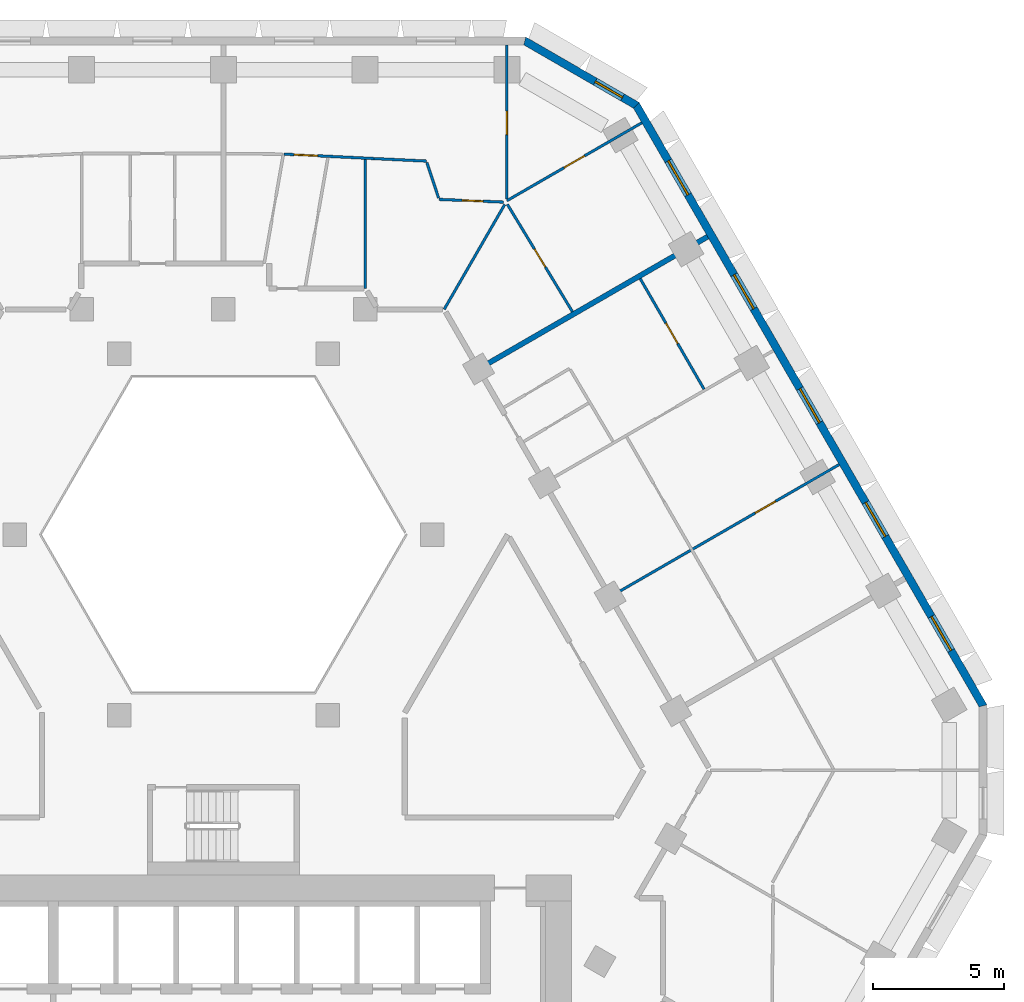
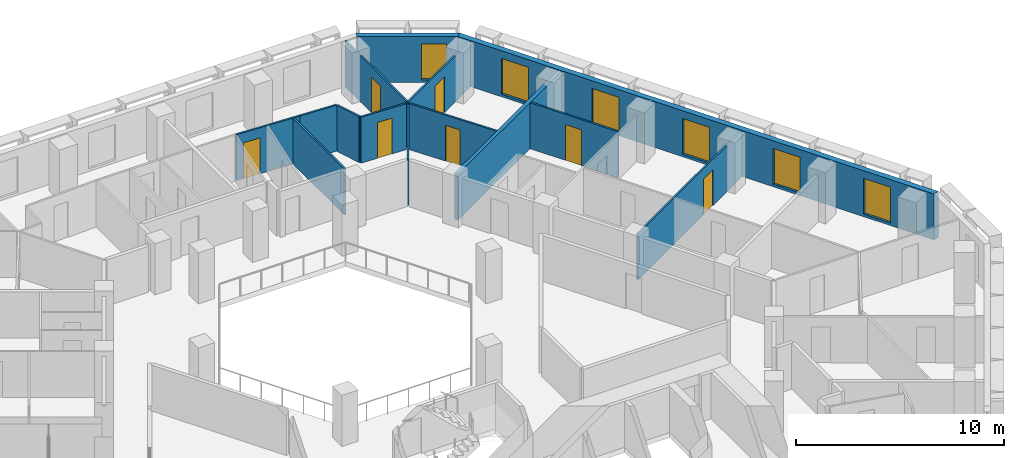
# One storey, part 9 of 15: 14 walls, 7 doors, 6 windows, 13 openings.
"""IFC4 building model written with IfcOpenShell, lengths in metres."""

from ifc_helpers import new_model, si_unit, direction, frame, frame_2d, origin, place, context, subcontext, project, spatial, polyline, rectangle, outline, extrude, material, layer, layer_set, type_object, element, fill, save


model = new_model("IFC4")

# Units and contexts
model_context = context("Model", 3, precision=1e-05, world=origin(), true_north=direction((0.0, 1.0)))
body_context = subcontext(model_context, "Body", "Model", "MODEL_VIEW")
ifc_project = project(units=[si_unit("LENGTHUNIT", "METRE"), si_unit("AREAUNIT", "SQUARE_METRE"), si_unit("VOLUMEUNIT", "CUBIC_METRE"), si_unit("PLANEANGLEUNIT", "RADIAN"), si_unit("MASSUNIT", "GRAM", prefix="KILO")], contexts=[model_context])

# Site, building, storey
site_placement = place(None, origin())
site = spatial("IfcSite", under=ifc_project, at=site_placement, CompositionType="ELEMENT")
building_placement = place(site_placement, origin())
building = spatial("IfcBuilding", under=site, at=building_placement, Name="Beryl Residences", CompositionType="ELEMENT")
storey_placement = place(building_placement, frame((0.0, 0.0, 72.0)))
storey = spatial("IfcBuildingStorey", under=building, at=storey_placement, Name="L21", CompositionType="ELEMENT", Elevation=72.0)

# Wall, openings, windows
ifc_material_1 = material(Name="Composite metal panel with mineral wool insulation")
ifc_layer_1 = layer(ifc_material_1, 0.300048828125)
ifc_layer_set_1 = layer_set([ifc_layer_1], Name="ES1 pale metal composite panel wall 300 mm")
wall_type_1 = type_object("IfcWallType", Name="ES1 pale metal composite panel wall 300 mm", PredefinedType="SOLIDWALL", material=ifc_layer_set_1)
wall_1_placement = place(storey_placement, frame((29.027099609375, 1.425048828125, 0.0), z_axis=(0.0, 0.0, 1.0), x_axis=(-0.500027479704, 0.866009537788, 0.0)))
wall_1 = element("IfcWall", 1, at=wall_1_placement, inside=storey, type_object=wall_type_1, Name="ES1 external wall L21 NE", PredefinedType="SOLIDWALL", context=body_context, shape_type="SweptSolid", body=[
    extrude(outline(polyline([(0.0, -0.14990234375), (26.55859375, -0.14990234375), (26.478271484375, 0.14990234375), (0.080322265625, 0.14990234375), (0.0, -0.14990234375)])), origin(), (0.0, 0.0, 1.0), 2.699951171875),
])
opening_1_placement = place(wall_1_placement, frame((2.48291015625, 0.0, 0.14990234375)))
opening_1 = element("IfcOpeningElement", 2, at=opening_1_placement, cuts=wall_1, Name="Opening W1", PredefinedType="OPENING", context=body_context, shape_type="SweptSolid", body=[
    extrude(rectangle(XDim=1.5, YDim=2.10009765625, at=frame_2d((0.75, 1.050048828125))), frame((0.0, 0.159912109375, 0.0), z_axis=(0.0, -1.0, 0.0), x_axis=(1.0, 0.0, 0.0)), (0.0, 0.0, 1.0), 0.320068359375),
])
opening_2_placement = place(wall_1_placement, frame((7.506103515625, 0.0, 0.14990234375)))
opening_2 = element("IfcOpeningElement", 3, at=opening_2_placement, cuts=wall_1, Name="Opening W1", PredefinedType="OPENING", context=body_context, shape_type="SweptSolid", body=[
    extrude(rectangle(XDim=1.5, YDim=2.10009765625, at=frame_2d((0.75, 1.050048828125))), frame((0.0, 0.159912109375, 0.0), z_axis=(0.0, -1.0, 0.0), x_axis=(1.0, 0.0, 0.0)), (0.0, 0.0, 1.0), 0.320068359375),
])
opening_3_placement = place(wall_1_placement, frame((12.529052734375, 0.0, 0.14990234375)))
opening_3 = element("IfcOpeningElement", 4, at=opening_3_placement, cuts=wall_1, Name="Opening W1", PredefinedType="OPENING", context=body_context, shape_type="SweptSolid", body=[
    extrude(rectangle(XDim=1.5, YDim=2.10009765625, at=frame_2d((0.75, 1.050048828125))), frame((0.0, 0.159912109375, 0.0), z_axis=(0.0, -1.0, 0.0), x_axis=(1.0, 0.0, 0.0)), (0.0, 0.0, 1.0), 0.320068359375),
])
opening_4_placement = place(wall_1_placement, frame((17.552001953125, 0.0, 0.14990234375)))
opening_4 = element("IfcOpeningElement", 5, at=opening_4_placement, cuts=wall_1, Name="Opening W1", PredefinedType="OPENING", context=body_context, shape_type="SweptSolid", body=[
    extrude(rectangle(XDim=1.5, YDim=2.10009765625, at=frame_2d((0.75, 1.050048828125))), frame((0.0, 0.159912109375, 0.0), z_axis=(0.0, -1.0, 0.0), x_axis=(1.0, 0.0, 0.0)), (0.0, 0.0, 1.0), 0.320068359375),
])
opening_5_placement = place(wall_1_placement, frame((22.574951171875, 0.0, 0.14990234375)))
opening_5 = element("IfcOpeningElement", 6, at=opening_5_placement, cuts=wall_1, Name="Opening W1", PredefinedType="OPENING", context=body_context, shape_type="SweptSolid", body=[
    extrude(rectangle(XDim=1.5, YDim=2.10009765625, at=frame_2d((0.75, 1.050048828125))), frame((0.0, 0.159912109375, 0.0), z_axis=(0.0, -1.0, 0.0), x_axis=(1.0, 0.0, 0.0)), (0.0, 0.0, 1.0), 0.320068359375),
])
ifc_material_2 = material(Name="Aluminium and clear glass", Category="aluminium")
window_type_1 = type_object("IfcWindowType", Name="W1 cell window 1500 x 2100 mm", PartitioningType="SINGLE_PANEL", PredefinedType="WINDOW", material=ifc_material_2)
window_1_placement = place(opening_1_placement, origin())
window_1 = element("IfcWindow", 7, at=window_1_placement, inside=storey, type_object=window_type_1, Name="W1 window L21 NE 2", OverallHeight=2.10009765625, OverallWidth=1.5, PartitioningType="SINGLE_PANEL", PredefinedType="WINDOW", context=body_context, shape_type="SweptSolid", body=[
    extrude(rectangle(XDim=1.5, YDim=2.10009765625, at=frame_2d((0.75, 1.050048828125))), frame((0.0, 0.030029296875, 0.0), z_axis=(0.0, -1.0, 0.0), x_axis=(1.0, 0.0, 0.0)), (0.0, 0.0, 1.0), 0.06005859375),
])
fill(opening_1, window_1)
window_2_placement = place(opening_2_placement, origin())
window_2 = element("IfcWindow", 8, at=window_2_placement, inside=storey, type_object=window_type_1, Name="W1 window L21 NE 4", OverallHeight=2.10009765625, OverallWidth=1.5, PartitioningType="SINGLE_PANEL", PredefinedType="WINDOW", context=body_context, shape_type="SweptSolid", body=[
    extrude(rectangle(XDim=1.5, YDim=2.10009765625, at=frame_2d((0.75, 1.050048828125))), frame((0.0, 0.030029296875, 0.0), z_axis=(0.0, -1.0, 0.0), x_axis=(1.0, 0.0, 0.0)), (0.0, 0.0, 1.0), 0.06005859375),
])
fill(opening_2, window_2)
window_3_placement = place(opening_3_placement, origin())
window_3 = element("IfcWindow", 9, at=window_3_placement, inside=storey, type_object=window_type_1, Name="W1 window L21 NE 6", OverallHeight=2.10009765625, OverallWidth=1.5, PartitioningType="SINGLE_PANEL", PredefinedType="WINDOW", context=body_context, shape_type="SweptSolid", body=[
    extrude(rectangle(XDim=1.5, YDim=2.10009765625, at=frame_2d((0.75, 1.050048828125))), frame((0.0, 0.030029296875, 0.0), z_axis=(0.0, -1.0, 0.0), x_axis=(1.0, 0.0, 0.0)), (0.0, 0.0, 1.0), 0.06005859375),
])
fill(opening_3, window_3)
window_4_placement = place(opening_4_placement, origin())
window_4 = element("IfcWindow", 10, at=window_4_placement, inside=storey, type_object=window_type_1, Name="W1 window L21 NE 8", OverallHeight=2.10009765625, OverallWidth=1.5, PartitioningType="SINGLE_PANEL", PredefinedType="WINDOW", context=body_context, shape_type="SweptSolid", body=[
    extrude(rectangle(XDim=1.5, YDim=2.10009765625, at=frame_2d((0.75, 1.050048828125))), frame((0.0, 0.030029296875, 0.0), z_axis=(0.0, -1.0, 0.0), x_axis=(1.0, 0.0, 0.0)), (0.0, 0.0, 1.0), 0.06005859375),
])
fill(opening_4, window_4)
window_5_placement = place(opening_5_placement, origin())
window_5 = element("IfcWindow", 11, at=window_5_placement, inside=storey, type_object=window_type_1, Name="W1 window L21 NE 10", OverallHeight=2.10009765625, OverallWidth=1.5, PartitioningType="SINGLE_PANEL", PredefinedType="WINDOW", context=body_context, shape_type="SweptSolid", body=[
    extrude(rectangle(XDim=1.5, YDim=2.10009765625, at=frame_2d((0.75, 1.050048828125))), frame((0.0, 0.030029296875, 0.0), z_axis=(0.0, -1.0, 0.0), x_axis=(1.0, 0.0, 0.0)), (0.0, 0.0, 1.0), 0.06005859375),
])
fill(opening_5, window_5)

# Wall, opening, window
wall_2_placement = place(storey_placement, frame((15.802001953125, 24.3701171875, 0.0), z_axis=(0.0, 0.0, 1.0), x_axis=(-0.866022959057, 0.500004234368, 0.0)))
wall_2 = element("IfcWall", 12, at=wall_2_placement, inside=storey, type_object=wall_type_1, Name="ES1 external wall L21 NE-N", PredefinedType="SOLIDWALL", context=body_context, shape_type="SweptSolid", body=[
    extrude(outline(polyline([(0.0, -0.14990234375), (5.0, -0.14990234375), (4.919677734375, 0.14990234375), (0.080322265625, 0.14990234375), (0.0, -0.14990234375)])), origin(), (0.0, 0.0, 1.0), 2.699951171875),
])
opening_6_placement = place(wall_2_placement, frame((0.64990234375, 0.0, 0.14990234375)))
opening_6 = element("IfcOpeningElement", 13, at=opening_6_placement, cuts=wall_2, Name="Opening W2", PredefinedType="OPENING", context=body_context, shape_type="SweptSolid", body=[
    extrude(rectangle(XDim=1.199951171875, YDim=2.10009765625, at=frame_2d((0.60009765625, 1.050048828125))), frame((0.0, 0.159912109375, 0.0), z_axis=(0.0, -1.0, 0.0), x_axis=(1.0, 0.0, 0.0)), (0.0, 0.0, 1.0), 0.320068359375),
])
ifc_material_3 = material(Name="Aluminium and clear glass", Category="aluminium")
window_type_2 = type_object("IfcWindowType", Name="W2 chamfer window 1200 x 2100 mm", PartitioningType="SINGLE_PANEL", PredefinedType="WINDOW", material=ifc_material_3)
window_6_placement = place(opening_6_placement, origin())
window_6 = element("IfcWindow", 14, at=window_6_placement, inside=storey, type_object=window_type_2, Name="W2 window L21 NE-N 1", OverallHeight=2.10009765625, OverallWidth=1.199951171875, PartitioningType="SINGLE_PANEL", PredefinedType="WINDOW", context=body_context, shape_type="SweptSolid", body=[
    extrude(rectangle(XDim=1.199951171875, YDim=2.10009765625, at=frame_2d((0.60009765625, 1.050048828125))), frame((0.0, 0.030029296875, 0.0), z_axis=(0.0, -1.0, 0.0), x_axis=(1.0, 0.0, 0.0)), (0.0, 0.0, 1.0), 0.06005859375),
])
fill(opening_6, window_6)

# Wall
ifc_material_4 = material(Name="Gypsum board partition on steel studs", Category="steel")
ifc_layer_2 = layer(ifc_material_4, 0.10009765625)
ifc_layer_set_2 = layer_set([ifc_layer_2], Name="PT1 partition 100 mm gypsum board on steel studs")
wall_type_2 = type_object("IfcWallType", Name="PT1 partition 100 mm gypsum board on steel studs", PredefinedType="PARTITIONING", material=ifc_layer_set_2)
wall_3_placement = place(storey_placement, frame((7.76904296875, 22.2119140625, 0.0), z_axis=(0.0, 0.0, 1.0), x_axis=(0.313312924695, -0.949649941409, 0.0)))
element("IfcWall", 15, at=wall_3_placement, inside=storey, type_object=wall_type_2, Name="Wall PT1 L21 002", PredefinedType="PARTITIONING", context=body_context, shape_type="SweptSolid", body=[
    extrude(rectangle(XDim=1.43310546875, YDim=0.10009765625, at=frame_2d((0.716552734375, 0.0))), origin(), (0.0, 0.0, 1.0), 2.699951171875),
])

# Wall, opening, door
wall_4_placement = place(storey_placement, frame((10.843017578125, 20.610107421875, 0.0), z_axis=(0.0, 0.0, 1.0), x_axis=(0.518481125811, -0.855089072657, 0.0)))
wall_4 = element("IfcWall", 16, at=wall_4_placement, inside=storey, type_object=wall_type_2, Name="Wall PT1 L21 003", PredefinedType="PARTITIONING", context=body_context, shape_type="SweptSolid", body=[
    extrude(rectangle(XDim=4.794921875, YDim=0.10009765625, at=frame_2d((2.3974609375, 0.0))), origin(), (0.0, 0.0, 1.0), 2.699951171875),
])
opening_7_placement = place(wall_4_placement, frame((1.9990234375, 0.0, 0.0)))
opening_7 = element("IfcOpeningElement", 17, at=opening_7_placement, cuts=wall_4, Name="Opening D0822", PredefinedType="OPENING", context=body_context, shape_type="SweptSolid", body=[
    extrude(rectangle(XDim=0.800048828125, YDim=2.10009765625, at=frame_2d((0.39990234375, 1.050048828125))), frame((0.0, 0.06005859375, 0.0), z_axis=(0.0, -1.0, 0.0), x_axis=(1.0, 0.0, 0.0)), (0.0, 0.0, 1.0), 0.1201171875),
])
ifc_material_5 = material(Name="Timber door leaf", Category="wood")
door_type_1 = type_object("IfcDoorType", Name="D3 bathroom door 800 x 2100 mm", OperationType="SINGLE_SWING_LEFT", PredefinedType="DOOR", material=ifc_material_5)
door_1_placement = place(opening_7_placement, origin())
door_1 = element("IfcDoor", 18, at=door_1_placement, inside=storey, type_object=door_type_1, Name="Door D0822 L21 001", OperationType="SINGLE_SWING_RIGHT", OverallHeight=2.10009765625, OverallWidth=0.800048828125, PredefinedType="DOOR", context=body_context, shape_type="SweptSolid", body=[
    extrude(rectangle(XDim=0.800048828125, YDim=2.10009765625, at=frame_2d((0.39990234375, 1.050048828125))), frame((0.0, 0.02490234375, 0.0), z_axis=(0.0, -1.0, 0.0), x_axis=(1.0, 0.0, 0.0)), (0.0, 0.0, 1.0), 0.050048828125),
])
fill(opening_7, door_1)

wall_5_placement = place(storey_placement, frame((15.916015625, 17.77294921875, 0.0), z_axis=(0.0, 0.0, 1.0), x_axis=(0.500093956194, -0.865971151354, 0.0)))
wall_5 = element("IfcWall", 19, at=wall_5_placement, inside=storey, type_object=wall_type_2, Name="Wall PT1 L21 007", PredefinedType="PARTITIONING", context=body_context, shape_type="SweptSolid", body=[
    extrude(rectangle(XDim=4.873046875, YDim=0.10009765625, at=frame_2d((2.4365234375, 0.0))), origin(), (0.0, 0.0, 1.0), 2.699951171875),
])
opening_8_placement = place(wall_5_placement, frame((1.9619140625, 0.0, 0.0)))
opening_8 = element("IfcOpeningElement", 20, at=opening_8_placement, cuts=wall_5, Name="Opening D0810", PredefinedType="OPENING", context=body_context, shape_type="SweptSolid", body=[
    extrude(rectangle(XDim=0.89990234375, YDim=2.10009765625, at=frame_2d((0.449951171875, 1.050048828125))), frame((0.0, 0.06005859375, 0.0), z_axis=(0.0, -1.0, 0.0), x_axis=(1.0, 0.0, 0.0)), (0.0, 0.0, 1.0), 0.1201171875),
])
ifc_material_6 = material(Name="Timber door leaf", Category="wood")
door_type_2 = type_object("IfcDoorType", Name="D2 room door 900 x 2100 mm", OperationType="SINGLE_SWING_LEFT", PredefinedType="DOOR", material=ifc_material_6)
door_2_placement = place(opening_8_placement, origin())
door_2 = element("IfcDoor", 21, at=door_2_placement, inside=storey, type_object=door_type_2, Name="Door D0810 L21 001", OperationType="SINGLE_SWING_RIGHT", OverallHeight=2.10009765625, OverallWidth=0.89990234375, PredefinedType="DOOR", context=body_context, shape_type="SweptSolid", body=[
    extrude(rectangle(XDim=0.89990234375, YDim=2.10009765625, at=frame_2d((0.449951171875, 1.050048828125))), frame((0.0, 0.02490234375, 0.0), z_axis=(0.0, -1.0, 0.0), x_axis=(1.0, 0.0, 0.0)), (0.0, 0.0, 1.0), 0.050048828125),
])
fill(opening_8, door_2)

wall_6_placement = place(storey_placement, frame((8.235107421875, 20.800048828125, 0.0), z_axis=(0.0, 0.0, 1.0), x_axis=(0.999110277005, -0.042174096116, 0.0)))
wall_6 = element("IfcWall", 22, at=wall_6_placement, inside=storey, type_object=wall_type_2, Name="Wall PT1 L21 016", PredefinedType="PARTITIONING", context=body_context, shape_type="SweptSolid", body=[
    extrude(rectangle(XDim=2.466064453125, YDim=0.10009765625, at=frame_2d((1.23291015625, 0.0))), origin(), (0.0, 0.0, 1.0), 2.699951171875),
])
opening_9_placement = place(wall_6_placement, frame((0.8798828125, 0.0, 0.0)))
opening_9 = element("IfcOpeningElement", 23, at=opening_9_placement, cuts=wall_6, Name="Opening D0820", PredefinedType="OPENING", context=body_context, shape_type="SweptSolid", body=[
    extrude(rectangle(XDim=0.800048828125, YDim=2.10009765625, at=frame_2d((0.39990234375, 1.050048828125))), frame((0.0, 0.06005859375, 0.0), z_axis=(0.0, -1.0, 0.0), x_axis=(1.0, 0.0, 0.0)), (0.0, 0.0, 1.0), 0.1201171875),
])
door_3_placement = place(opening_9_placement, origin())
door_3 = element("IfcDoor", 24, at=door_3_placement, inside=storey, type_object=door_type_1, Name="Door D0820 L21 001", OperationType="SINGLE_SWING_RIGHT", OverallHeight=2.10009765625, OverallWidth=0.800048828125, PredefinedType="DOOR", context=body_context, shape_type="SweptSolid", body=[
    extrude(rectangle(XDim=0.800048828125, YDim=2.10009765625, at=frame_2d((0.39990234375, 1.050048828125))), frame((0.0, 0.02490234375, 0.0), z_axis=(0.0, -1.0, 0.0), x_axis=(1.0, 0.0, 0.0)), (0.0, 0.0, 1.0), 0.050048828125),
])
fill(opening_9, door_3)

# Wall
wall_7_placement = place(storey_placement, frame((5.757080078125, 22.35791015625, 0.0), z_axis=(0.0, 0.0, 1.0), x_axis=(0.998868690804, -0.047553533316, 0.0)))
element("IfcWall", 25, at=wall_7_placement, inside=storey, type_object=wall_type_2, Name="Wall PT1 L21 017", PredefinedType="PARTITIONING", context=body_context, shape_type="SweptSolid", body=[
    extrude(rectangle(XDim=1.9970703125, YDim=0.10009765625, at=frame_2d((0.99853515625, 0.0))), origin(), (0.0, 0.0, 1.0), 2.699951171875),
])

# Wall, opening, door
wall_8_placement = place(storey_placement, frame((2.321044921875, 22.527099609375, 0.0), z_axis=(0.0, 0.0, 1.0), x_axis=(0.998789924329, -0.049180149038, 0.0)))
wall_8 = element("IfcWall", 26, at=wall_8_placement, inside=storey, type_object=wall_type_2, Name="Wall PT1 L21 018", PredefinedType="PARTITIONING", context=body_context, shape_type="SweptSolid", body=[
    extrude(rectangle(XDim=3.440185546875, YDim=0.10009765625, at=frame_2d((1.72021484375, 0.0))), origin(), (0.0, 0.0, 1.0), 2.699951171875),
])
opening_10_placement = place(wall_8_placement, frame((0.3759765625, 0.0, 0.0)))
opening_10 = element("IfcOpeningElement", 27, at=opening_10_placement, cuts=wall_8, Name="Opening D0818", PredefinedType="OPENING", context=body_context, shape_type="SweptSolid", body=[
    extrude(rectangle(XDim=0.89990234375, YDim=2.10009765625, at=frame_2d((0.449951171875, 1.050048828125))), frame((0.0, 0.06005859375, 0.0), z_axis=(0.0, -1.0, 0.0), x_axis=(1.0, 0.0, 0.0)), (0.0, 0.0, 1.0), 0.1201171875),
])
door_4_placement = place(opening_10_placement, origin())
door_4 = element("IfcDoor", 28, at=door_4_placement, inside=storey, type_object=door_type_2, Name="Door D0818 L21 001", OperationType="SINGLE_SWING_RIGHT", OverallHeight=2.10009765625, OverallWidth=0.89990234375, PredefinedType="DOOR", context=body_context, shape_type="SweptSolid", body=[
    extrude(rectangle(XDim=0.89990234375, YDim=2.10009765625, at=frame_2d((0.449951171875, 1.050048828125))), frame((0.0, 0.02490234375, 0.0), z_axis=(0.0, -1.0, 0.0), x_axis=(1.0, 0.0, 0.0)), (0.0, 0.0, 1.0), 0.050048828125),
])
fill(opening_10, door_4)

# Walls
wall_9_placement = place(storey_placement, frame((8.429931640625, 16.60009765625, 0.0), z_axis=(0.0, 0.0, 1.0), x_axis=(0.50003312339, 0.866006279142, 0.0)))
element("IfcWall", 29, at=wall_9_placement, inside=storey, type_object=wall_type_2, Name="Wall PT1 L21 034", PredefinedType="PARTITIONING", context=body_context, shape_type="SweptSolid", body=[
    extrude(rectangle(XDim=4.625732421875, YDim=0.10009765625, at=frame_2d((2.31298828125, 0.0))), origin(), (0.0, 0.0, 1.0), 2.699951171875),
])
wall_10_placement = place(storey_placement, frame((5.412109375, 17.39990234375, 0.0), z_axis=(0.0, 0.0, 1.0), x_axis=(0.0, 1.0, 0.0)))
element("IfcWall", 30, at=wall_10_placement, inside=storey, type_object=wall_type_2, Name="Wall PT1 L21 047", PredefinedType="PARTITIONING", context=body_context, shape_type="SweptSolid", body=[
    extrude(rectangle(XDim=4.925048828125, YDim=0.10009765625, at=frame_2d((2.46240234375, 0.0))), origin(), (0.0, 0.0, 1.0), 2.699951171875),
])

# Wall, opening, door
wall_11_placement = place(storey_placement, frame((10.824951171875, 20.805908203125, 0.0), z_axis=(0.0, 0.0, 1.0), x_axis=(0.0, 1.0, 0.0)))
wall_11 = element("IfcWall", 31, at=wall_11_placement, inside=storey, type_object=wall_type_2, Name="Wall PT1 L21 050", PredefinedType="PARTITIONING", context=body_context, shape_type="SweptSolid", body=[
    extrude(rectangle(XDim=5.89404296875, YDim=0.10009765625, at=frame_2d((2.947021484375, 0.0))), origin(), (0.0, 0.0, 1.0), 2.699951171875),
])
opening_11_placement = place(wall_11_placement, frame((2.468017578125, 0.0, 0.0)))
opening_11 = element("IfcOpeningElement", 32, at=opening_11_placement, cuts=wall_11, Name="Opening D0819", PredefinedType="OPENING", context=body_context, shape_type="SweptSolid", body=[
    extrude(rectangle(XDim=0.89990234375, YDim=2.10009765625, at=frame_2d((0.449951171875, 1.050048828125))), frame((0.0, 0.06005859375, 0.0), z_axis=(0.0, -1.0, 0.0), x_axis=(1.0, 0.0, 0.0)), (0.0, 0.0, 1.0), 0.1201171875),
])
door_5_placement = place(opening_11_placement, origin())
door_5 = element("IfcDoor", 33, at=door_5_placement, inside=storey, type_object=door_type_2, Name="Door D0819 L21 001", OperationType="SINGLE_SWING_LEFT", OverallHeight=2.10009765625, OverallWidth=0.89990234375, PredefinedType="DOOR", context=body_context, shape_type="SweptSolid", body=[
    extrude(rectangle(XDim=0.89990234375, YDim=2.10009765625, at=frame_2d((0.449951171875, 1.050048828125))), frame((0.0, 0.02490234375, 0.0), z_axis=(0.0, -1.0, 0.0), x_axis=(1.0, 0.0, 0.0)), (0.0, 0.0, 1.0), 0.050048828125),
])
fill(opening_11, door_5)

wall_12_placement = place(storey_placement, frame((14.85302734375, 5.675048828125, 0.0), z_axis=(0.0, 0.0, 1.0), x_axis=(0.866016855193, 0.500014806302, 0.0)))
wall_12 = element("IfcWall", 34, at=wall_12_placement, inside=storey, type_object=wall_type_2, Name="Wall PT1 L21 064", PredefinedType="PARTITIONING", context=body_context, shape_type="SweptSolid", body=[
    extrude(rectangle(XDim=9.999755859375, YDim=0.10009765625, at=frame_2d((5.0, 0.0))), origin(), (0.0, 0.0, 1.0), 2.699951171875),
])
opening_12_placement = place(wall_12_placement, frame((6.300048828125, 0.0, 0.0)))
opening_12 = element("IfcOpeningElement", 35, at=opening_12_placement, cuts=wall_12, Name="Opening D0812", PredefinedType="OPENING", context=body_context, shape_type="SweptSolid", body=[
    extrude(rectangle(XDim=0.89990234375, YDim=2.10009765625, at=frame_2d((0.449951171875, 1.050048828125))), frame((0.0, 0.06005859375, 0.0), z_axis=(0.0, -1.0, 0.0), x_axis=(1.0, 0.0, 0.0)), (0.0, 0.0, 1.0), 0.1201171875),
])
door_6_placement = place(opening_12_placement, origin())
door_6 = element("IfcDoor", 36, at=door_6_placement, inside=storey, type_object=door_type_2, Name="Door D0812 L21 001", OperationType="SINGLE_SWING_RIGHT", OverallHeight=2.10009765625, OverallWidth=0.89990234375, PredefinedType="DOOR", context=body_context, shape_type="SweptSolid", body=[
    extrude(rectangle(XDim=0.89990234375, YDim=2.10009765625, at=frame_2d((0.449951171875, 1.050048828125))), frame((0.0, 0.02490234375, 0.0), z_axis=(0.0, -1.0, 0.0), x_axis=(1.0, 0.0, 0.0)), (0.0, 0.0, 1.0), 0.050048828125),
])
fill(opening_12, door_6)

wall_13_placement = place(storey_placement, frame((10.825927734375, 20.75, 0.0), z_axis=(0.0, 0.0, 1.0), x_axis=(0.865986712877, 0.50006700863, 0.0)))
wall_13 = element("IfcWall", 37, at=wall_13_placement, inside=storey, type_object=wall_type_2, Name="Wall PT1 L21 066", PredefinedType="PARTITIONING", context=body_context, shape_type="SweptSolid", body=[
    extrude(rectangle(XDim=5.949462890625, YDim=0.10009765625, at=frame_2d((2.974609375, 0.0))), origin(), (0.0, 0.0, 1.0), 2.699951171875),
])
opening_13_placement = place(wall_13_placement, frame((2.52392578125, 0.0, 0.0)))
opening_13 = element("IfcOpeningElement", 38, at=opening_13_placement, cuts=wall_13, Name="Opening D0821", PredefinedType="OPENING", context=body_context, shape_type="SweptSolid", body=[
    extrude(rectangle(XDim=0.89990234375, YDim=2.10009765625, at=frame_2d((0.449951171875, 1.050048828125))), frame((0.0, 0.06005859375, 0.0), z_axis=(0.0, -1.0, 0.0), x_axis=(1.0, 0.0, 0.0)), (0.0, 0.0, 1.0), 0.1201171875),
])
door_7_placement = place(opening_13_placement, origin())
door_7 = element("IfcDoor", 39, at=door_7_placement, inside=storey, type_object=door_type_2, Name="Door D0821 L21 001", OperationType="SINGLE_SWING_LEFT", OverallHeight=2.10009765625, OverallWidth=0.89990234375, PredefinedType="DOOR", context=body_context, shape_type="SweptSolid", body=[
    extrude(rectangle(XDim=0.89990234375, YDim=2.10009765625, at=frame_2d((0.449951171875, 1.050048828125))), frame((0.0, 0.02490234375, 0.0), z_axis=(0.0, -1.0, 0.0), x_axis=(1.0, 0.0, 0.0)), (0.0, 0.0, 1.0), 0.050048828125),
])
fill(opening_13, door_7)

# Wall
ifc_material_7 = material(Name="Acoustic double stud gypsum board wall")
ifc_layer_3 = layer(ifc_material_7, 0.199951171875)
ifc_layer_set_3 = layer_set([ifc_layer_3], Name="PT3 party wall 200 mm acoustic double stud")
wall_type_3 = type_object("IfcWallType", Name="PT3 party wall 200 mm acoustic double stud", PredefinedType="PARTITIONING", material=ifc_layer_set_3)
wall_14_placement = place(storey_placement, frame((9.830078125, 14.375, 0.0), z_axis=(0.0, 0.0, 1.0), x_axis=(0.865992435864, 0.500057097767, 0.0)))
element("IfcWall", 40, at=wall_14_placement, inside=storey, type_object=wall_type_3, Name="Wall PT3 L21 013", PredefinedType="PARTITIONING", context=body_context, shape_type="SweptSolid", body=[
    extrude(rectangle(XDim=9.998779296875, YDim=0.199951171875, at=frame_2d((4.99951171875, 0.0))), origin(), (0.0, 0.0, 1.0), 2.699951171875),
])

save(model, "model.ifc")
